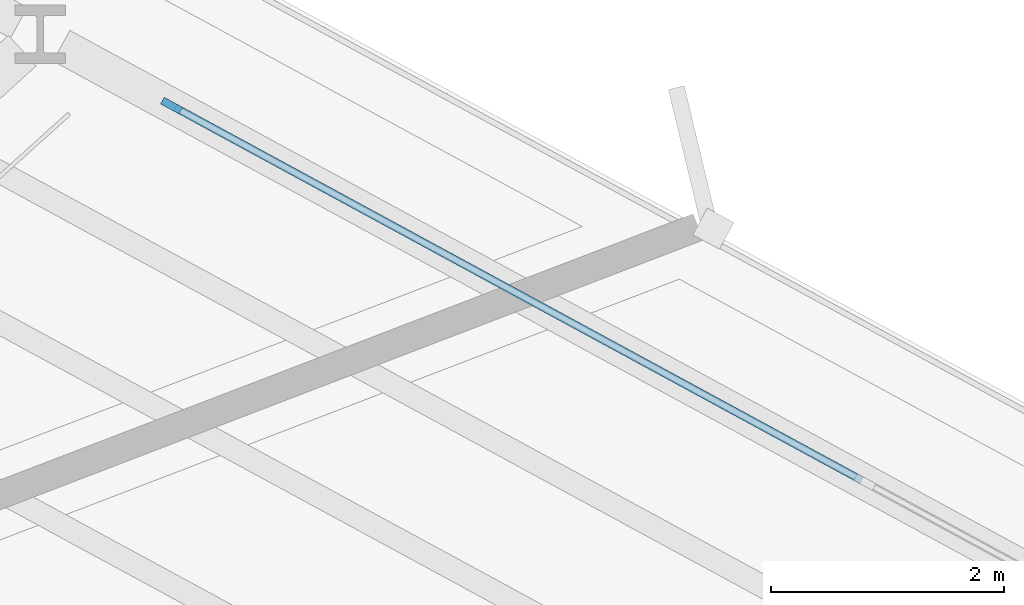
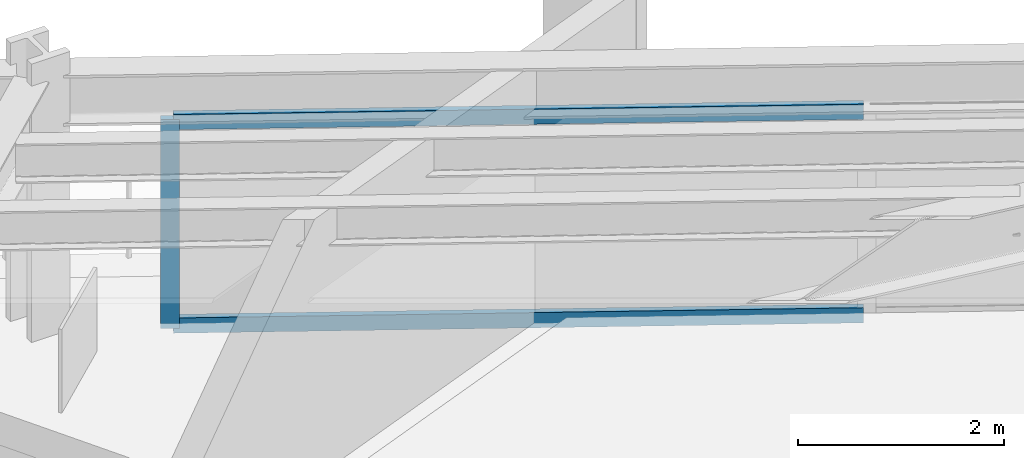
# One storey, part 6 of 14: 3 members, 1 element without a shape of its own.
"""IFC4 building model written with IfcOpenShell, lengths in metres."""

from ifc_helpers import new_model, si_unit, direction, frame, origin, origin_2d, place, context, subcontext, project, spatial, rectangle, extrude, material, layer, layer_set, material_profile, profile_set, type_object, element, aggregate, save


model = new_model("IFC4")

# Units and contexts
model_context = context("Model", 3, precision=1e-05, world=origin(), true_north=direction((0.0, 1.0)))
body_context = subcontext(model_context, "Body", "Model", "MODEL_VIEW")
ifc_project = project(units=[si_unit("LENGTHUNIT", "METRE"), si_unit("AREAUNIT", "SQUARE_METRE"), si_unit("VOLUMEUNIT", "CUBIC_METRE"), si_unit("PLANEANGLEUNIT", "RADIAN"), si_unit("MASSUNIT", "GRAM", prefix="KILO")], contexts=[model_context])

# Site, building, storey
site_placement = place(None, origin())
site = spatial("IfcSite", under=ifc_project, at=site_placement, CompositionType="ELEMENT")
building_placement = place(site_placement, origin())
building = spatial("IfcBuilding", under=site, at=building_placement, Name="Rocaltana Carrier Exchange", CompositionType="ELEMENT")
storey_placement = place(building_placement, frame((0.0, 0.0, 25.60009765625)))
storey = spatial("IfcBuildingStorey", under=building, at=storey_placement, Name="L08", CompositionType="ELEMENT", Elevation=25.60009765625)

# Curtain wall, members
ifc_material_1 = material(Name="Aluminium 6063-T6", Category="aluminium")
ifc_layer = layer(ifc_material_1, 0.179931640625)
ifc_layer_set = layer_set([ifc_layer], Name="Aluminium 6063-T6")
curtain_wall_type = type_object("IfcCurtainWallType", Name="Sandstone Spandrel Unitised Curtain Wall CW-01", PredefinedType="NOTDEFINED", material=ifc_layer_set)
curtain_wall_placement = place(storey_placement, origin())
curtain_wall = element("IfcCurtainWall", 1, at=curtain_wall_placement, inside=storey, type_object=curtain_wall_type, Name="L08 CW-01 Run CW-L08-F1S1", PredefinedType="NOTDEFINED")
ifc_material_2 = material(Name="Aluminium 6063-T6", Category="aluminium")
ifc_material_profile_1 = material_profile(ifc_material_2, rectangle(XDim=0.06494140625, YDim=0.179931640625, at=origin_2d()), Name="AL-65X180")
ifc_profile_set_1 = profile_set([ifc_material_profile_1], Name="Aluminium 6063-T6")
member_type_1 = type_object("IfcMemberType", Name="CW-01 Mullion AL-65X180", PredefinedType="MULLION", material=ifc_profile_set_1)
member_1_placement = place(storey_placement, frame((15.31884765625, 8.6552734375, 0.0), z_axis=(0.0, 0.0, 1.0), x_axis=(-0.477161473226, -0.878815639636, 0.0)))
member_1 = element("IfcMember", 2, at=member_1_placement, type_object=member_type_1, Name="CW-01 mullion 3", PredefinedType="MULLION", context=body_context, shape_type="SweptSolid", body=[
    extrude(rectangle(XDim=0.06494140625, YDim=0.179931640625, at=origin_2d()), origin(), (0.0, 0.0, 1.0), 2.477783203125),
])
ifc_material_3 = material(Name="Aluminium 6063-T6", Category="aluminium")
ifc_material_profile_2 = material_profile(ifc_material_3, rectangle(XDim=0.06494140625, YDim=0.179931640625, at=origin_2d()), Name="AL-65X180")
ifc_profile_set_2 = profile_set([ifc_material_profile_2], Name="Aluminium 6063-T6")
member_type_2 = type_object("IfcMemberType", Name="CW-01 Transom AL-65X180", PredefinedType="USERDEFINED", material=ifc_profile_set_2)
member_2_placement = place(storey_placement, frame((21.237548828125, 5.44140625, 0.032470703125), z_axis=(-0.87880717191, 0.477177068392, 0.0), x_axis=(-0.477177068392, -0.87880717191, 0.0)))
member_2 = element("IfcMember", 3, at=member_2_placement, type_object=member_type_2, Name="CW-01 transom 2.1", ObjectType="TRANSOM", PredefinedType="USERDEFINED", context=body_context, shape_type="SweptSolid", body=[
    extrude(rectangle(XDim=0.06494140625, YDim=0.179931640625, at=origin_2d()), origin(), (0.0, 0.0, 1.0), 6.702392578125),
])
member_3_placement = place(storey_placement, frame((21.237548828125, 5.44140625, 2.4453125), z_axis=(-0.87880717191, 0.477177068392, 0.0), x_axis=(-0.477177068392, -0.87880717191, 0.0)))
member_3 = element("IfcMember", 4, at=member_3_placement, type_object=member_type_2, Name="CW-01 transom 2.2", ObjectType="TRANSOM", PredefinedType="USERDEFINED", context=body_context, shape_type="SweptSolid", body=[
    extrude(rectangle(XDim=0.06494140625, YDim=0.179931640625, at=origin_2d()), origin(), (0.0, 0.0, 1.0), 6.702392578125),
])
aggregate(curtain_wall, [member_1, member_2, member_3])

save(model, "model.ifc")
